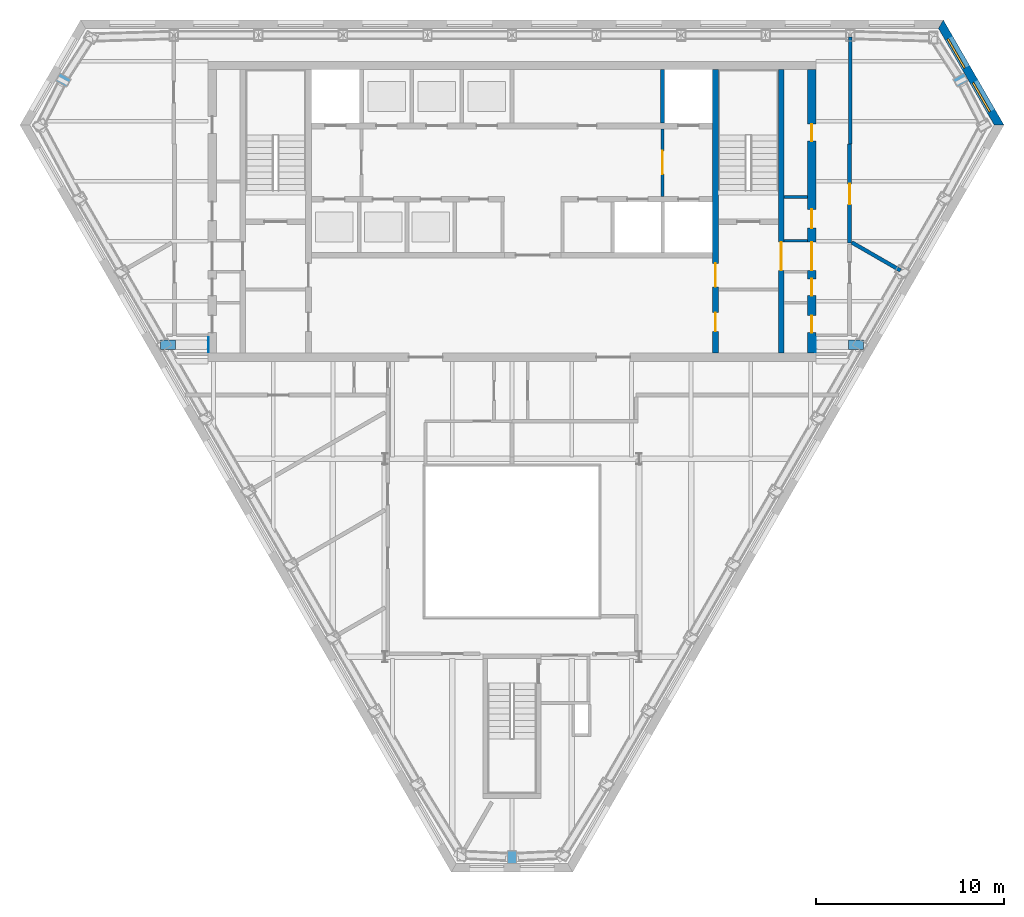
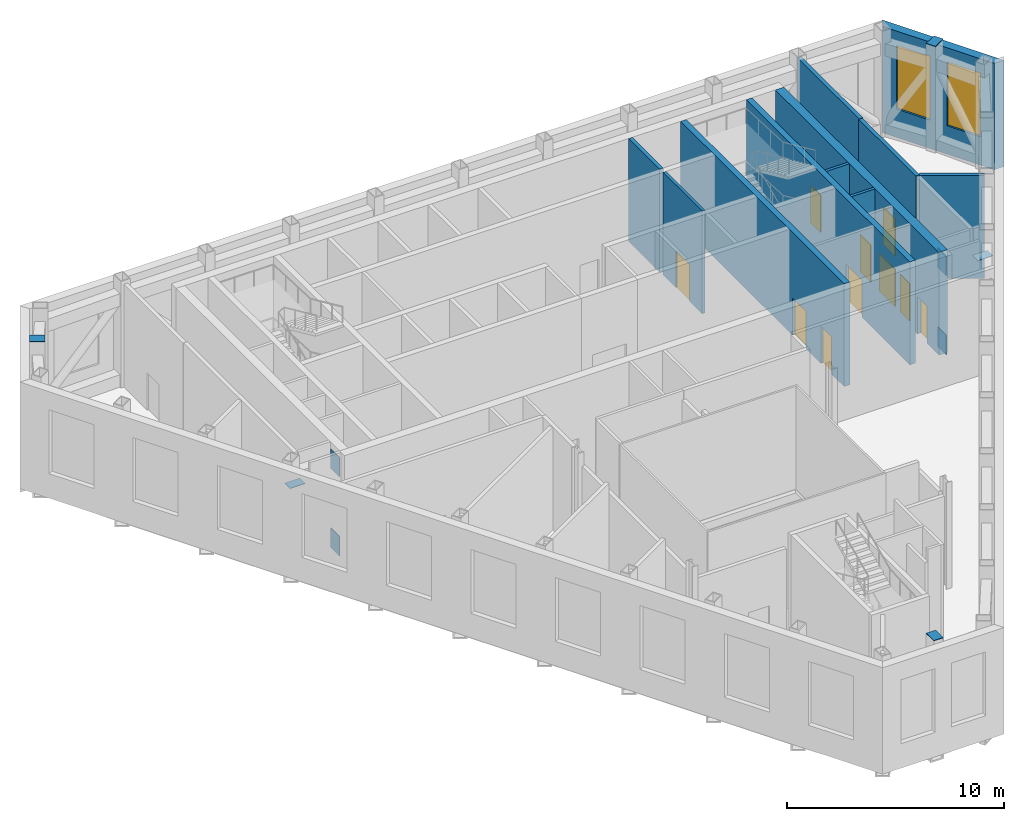
# One storey, part 10 of 14: 11 walls, 10 doors, 9 discrete accessories, 2 shading devices, 12 openings.
"""IFC4 building model written with IfcOpenShell, lengths in metres."""

from ifc_helpers import new_model, si_unit, direction, frame, frame_2d, origin, place, context, subcontext, project, spatial, polyline, rectangle, outline, extrude, material, layer, layer_set, type_object, element, fill, save


model = new_model("IFC4")

# Units and contexts
model_context = context("Model", 3, precision=1e-05, world=origin(), true_north=direction((0.0, 1.0)))
body_context = subcontext(model_context, "Body", "Model", "MODEL_VIEW")
ifc_project = project(units=[si_unit("LENGTHUNIT", "METRE"), si_unit("AREAUNIT", "SQUARE_METRE"), si_unit("VOLUMEUNIT", "CUBIC_METRE"), si_unit("PLANEANGLEUNIT", "RADIAN"), si_unit("MASSUNIT", "GRAM", prefix="KILO")], contexts=[model_context])

# Site, building, storey
site_placement = place(None, origin())
site = spatial("IfcSite", under=ifc_project, at=site_placement, CompositionType="ELEMENT")
building_placement = place(site_placement, origin())
building = spatial("IfcBuilding", under=site, at=building_placement, Name="Njiva Tower", CompositionType="ELEMENT")
storey_placement = place(building_placement, frame((0.0, 0.0, 239.4)))
storey = spatial("IfcBuildingStorey", under=building, at=storey_placement, Name="L54", CompositionType="ELEMENT", Elevation=239.4)

# Wall
ifc_material_1 = material(Name="Blockwork", Category="masonry")
ifc_layer_1 = layer(ifc_material_1, 0.15)
ifc_layer_set_1 = layer_set([ifc_layer_1], Name="Blockwork")
wall_type_1 = type_object("IfcWallType", Name="WT1 Compartment partition 150", PredefinedType="PARTITIONING", material=ifc_layer_set_1)
wall_1_placement = place(storey_placement, frame((14.5, 10.7681, 0.0), z_axis=(0.0, 0.0, 1.0), x_axis=(1.0, 0.0, 0.0)))
element("IfcWall", 1, at=wall_1_placement, inside=storey, type_object=wall_type_1, Name="Partition strip E10", PredefinedType="PARTITIONING", context=body_context, shape_type="SweptSolid", body=[
    extrude(rectangle(XDim=1.25, YDim=0.15, at=frame_2d((0.625, 0.0))), origin(), (0.0, 0.0, 1.0), 5.8),
])

# Wall, openings, doors
ifc_material_2 = material(Name="Concrete C40/50", Category="concrete")
ifc_layer_2 = layer(ifc_material_2, 0.3)
ifc_layer_set_2 = layer_set([ifc_layer_2], Name="Concrete C40/50")
wall_type_2 = type_object("IfcWallType", Name="WT10 Stair enclosure wall 300", PredefinedType="SHEAR", material=ifc_layer_set_2)
wall_2_placement = place(storey_placement, frame((10.85, 2.45, 0.0), z_axis=(0.0, 0.0, 1.0), x_axis=(0.0, 1.0, 0.0)))
wall_2 = element("IfcWall", 2, at=wall_2_placement, inside=storey, type_object=wall_type_2, Name="Stair wall east inner", PredefinedType="SHEAR", context=body_context, shape_type="SweptSolid", body=[
    extrude(rectangle(XDim=15.1, YDim=0.3, at=frame_2d((7.55, 0.0))), origin(), (0.0, 0.0, 1.0), 5.8),
])
opening_1_placement = place(wall_2_placement, frame((3.525, 0.0, 0.0)))
opening_1 = element("IfcOpeningElement", 3, at=opening_1_placement, cuts=wall_2, Name="Opening T4-D920", PredefinedType="OPENING", context=body_context, shape_type="SweptSolid", body=[
    extrude(rectangle(XDim=1.25, YDim=2.1, at=frame_2d((0.625, 1.05))), frame((0.0, 0.16, 0.0), z_axis=(0.0, -1.0, 0.0), x_axis=(1.0, 0.0, 0.0)), (0.0, 0.0, 1.0), 0.32),
])
opening_2_placement = place(wall_2_placement, frame((1.15, 0.0, 0.0)))
opening_2 = element("IfcOpeningElement", 4, at=opening_2_placement, cuts=wall_2, Name="Opening T4-D921", PredefinedType="OPENING", context=body_context, shape_type="SweptSolid", body=[
    extrude(rectangle(XDim=1.0, YDim=2.1, at=frame_2d((0.5, 1.05))), frame((0.0, 0.16, 0.0), z_axis=(0.0, -1.0, 0.0), x_axis=(1.0, 0.0, 0.0)), (0.0, 0.0, 1.0), 0.32),
])
ifc_material_3 = material(Name="Steel door, painted", Category="steel")
door_type_1 = type_object("IfcDoorType", Name="D5 Steel door 1000x2100", OperationType="SINGLE_SWING_LEFT", PredefinedType="DOOR", material=ifc_material_3)
door_1_placement = place(opening_2_placement, origin())
door_1 = element("IfcDoor", 5, at=door_1_placement, inside=storey, type_object=door_type_1, Name="Electrical plant room door", OperationType="SINGLE_SWING_LEFT", OverallHeight=2.1, OverallWidth=1.0, PredefinedType="DOOR", context=body_context, shape_type="SweptSolid", body=[
    extrude(rectangle(XDim=1.0, YDim=2.1, at=frame_2d((0.5, 1.05))), frame((0.0, 0.025, 0.0), z_axis=(0.0, -1.0, 0.0), x_axis=(1.0, 0.0, 0.0)), (0.0, 0.0, 1.0), 0.05),
])
fill(opening_2, door_1)
ifc_material_4 = material(Name="Glazed steel fire door", Category="steel")
door_type_2 = type_object("IfcDoorType", Name="D8 Vestibule corridor door 1250x2100 glazed", OperationType="SINGLE_SWING_LEFT", PredefinedType="DOOR", material=ifc_material_4)
door_2_placement = place(opening_1_placement, origin())
door_2 = element("IfcDoor", 6, at=door_2_placement, inside=storey, type_object=door_type_2, Name="Stair vestibule corridor door", OperationType="SINGLE_SWING_RIGHT", OverallHeight=2.1, OverallWidth=1.25, PredefinedType="DOOR", context=body_context, shape_type="SweptSolid", body=[
    extrude(rectangle(XDim=1.25, YDim=2.1, at=frame_2d((0.625, 1.05))), frame((0.0, 0.025, 0.0), z_axis=(0.0, -1.0, 0.0), x_axis=(1.0, 0.0, 0.0)), (0.0, 0.0, 1.0), 0.05),
])
fill(opening_1, door_2)

# Wall, opening, door
wall_3_placement = place(storey_placement, frame((14.35, 2.45, 0.0), z_axis=(0.0, 0.0, 1.0), x_axis=(0.0, 1.0, 0.0)))
wall_3 = element("IfcWall", 7, at=wall_3_placement, inside=storey, type_object=wall_type_2, Name="Stair wall east outer", PredefinedType="SHEAR", context=body_context, shape_type="SweptSolid", body=[
    extrude(rectangle(XDim=15.1, YDim=0.3, at=frame_2d((7.55, 0.0))), origin(), (0.0, 0.0, 1.0), 5.8),
])
opening_3_placement = place(wall_3_placement, frame((4.4, 0.0, 0.0)))
opening_3 = element("IfcOpeningElement", 8, at=opening_3_placement, cuts=wall_3, Name="Opening T4-D928", PredefinedType="OPENING", context=body_context, shape_type="SweptSolid", body=[
    extrude(rectangle(XDim=1.5, YDim=2.1, at=frame_2d((0.75, 1.05))), frame((0.0, 0.16, 0.0), z_axis=(0.0, -1.0, 0.0), x_axis=(1.0, 0.0, 0.0)), (0.0, 0.0, 1.0), 0.32),
])
door_type_3 = type_object("IfcDoorType", Name="D10 Exit door double 1500x2100 glazed", OperationType="DOUBLE_DOOR_SINGLE_SWING", PredefinedType="DOOR", material=ifc_material_4)
door_3_placement = place(opening_3_placement, origin())
door_3 = element("IfcDoor", 9, at=door_3_placement, inside=storey, type_object=door_type_3, Name="Stair B passage door", OperationType="DOUBLE_DOOR_SINGLE_SWING", OverallHeight=2.1, OverallWidth=1.5, PredefinedType="DOOR", context=body_context, shape_type="SweptSolid", body=[
    extrude(rectangle(XDim=1.5, YDim=2.1, at=frame_2d((0.75, 1.05))), frame((0.0, 0.025, 0.0), z_axis=(0.0, -1.0, 0.0), x_axis=(1.0, 0.0, 0.0)), (0.0, 0.0, 1.0), 0.05),
])
fill(opening_3, door_3)

# Wall, openings, doors
ifc_material_5 = material(Name="Concrete C60/75", Category="concrete")
ifc_layer_3 = layer(ifc_material_5, 0.45)
ifc_layer_set_3 = layer_set([ifc_layer_3], Name="Concrete C60/75")
wall_type_3 = type_object("IfcWallType", Name="WT12 Core wall 450", PredefinedType="SHEAR", material=ifc_layer_set_3)
wall_4_placement = place(storey_placement, frame((15.975, 2.45, 0.0), z_axis=(0.0, 0.0, 1.0), x_axis=(0.0, 1.0, 0.0)))
wall_4 = element("IfcWall", 10, at=wall_4_placement, inside=storey, type_object=wall_type_3, Name="Core wall east", PredefinedType="SHEAR", context=body_context, shape_type="SweptSolid", body=[
    extrude(rectangle(XDim=15.1, YDim=0.45, at=frame_2d((7.55, 0.0))), origin(), (0.0, 0.0, 1.0), 5.8),
])
opening_4_placement = place(wall_4_placement, frame((4.4, 0.0, 0.0)))
opening_4 = element("IfcOpeningElement", 11, at=opening_4_placement, cuts=wall_4, Name="Opening T4-D929", PredefinedType="OPENING", context=body_context, shape_type="SweptSolid", body=[
    extrude(rectangle(XDim=1.5, YDim=2.1, at=frame_2d((0.75, 1.05))), frame((0.0, 0.235, 0.0), z_axis=(0.0, -1.0, 0.0), x_axis=(1.0, 0.0, 0.0)), (0.0, 0.0, 1.0), 0.47),
])
opening_5_placement = place(wall_4_placement, frame((1.0857, 0.0, 0.0)))
opening_5 = element("IfcOpeningElement", 12, at=opening_5_placement, cuts=wall_4, Name="Opening T4-D930", PredefinedType="OPENING", context=body_context, shape_type="SweptSolid", body=[
    extrude(rectangle(XDim=0.9, YDim=2.1, at=frame_2d((0.45, 1.05))), frame((0.0, 0.235, 0.0), z_axis=(0.0, -1.0, 0.0), x_axis=(1.0, 0.0, 0.0)), (0.0, 0.0, 1.0), 0.47),
])
opening_6_placement = place(wall_4_placement, frame((3.05, 0.0, 0.0)))
opening_6 = element("IfcOpeningElement", 13, at=opening_6_placement, cuts=wall_4, Name="Opening T4-D931", PredefinedType="OPENING", context=body_context, shape_type="SweptSolid", body=[
    extrude(rectangle(XDim=0.9, YDim=2.1, at=frame_2d((0.45, 1.05))), frame((0.0, 0.235, 0.0), z_axis=(0.0, -1.0, 0.0), x_axis=(1.0, 0.0, 0.0)), (0.0, 0.0, 1.0), 0.47),
])
opening_7_placement = place(wall_4_placement, frame((6.6465, 0.0, 0.0)))
opening_7 = element("IfcOpeningElement", 14, at=opening_7_placement, cuts=wall_4, Name="Opening T4-D932", PredefinedType="OPENING", context=body_context, shape_type="SweptSolid", body=[
    extrude(rectangle(XDim=1.0, YDim=2.1, at=frame_2d((0.5, 1.05))), frame((0.0, 0.235, 0.0), z_axis=(0.0, -1.0, 0.0), x_axis=(1.0, 0.0, 0.0)), (0.0, 0.0, 1.0), 0.47),
])
opening_8_placement = place(wall_4_placement, frame((11.2965, 0.0, 0.0)))
opening_8 = element("IfcOpeningElement", 15, at=opening_8_placement, cuts=wall_4, Name="Opening T4-D933", PredefinedType="OPENING", context=body_context, shape_type="SweptSolid", body=[
    extrude(rectangle(XDim=0.9, YDim=2.1, at=frame_2d((0.45, 1.05))), frame((0.0, 0.235, 0.0), z_axis=(0.0, -1.0, 0.0), x_axis=(1.0, 0.0, 0.0)), (0.0, 0.0, 1.0), 0.47),
])
door_4_placement = place(opening_4_placement, origin())
door_4 = element("IfcDoor", 16, at=door_4_placement, inside=storey, type_object=door_type_3, Name="Stair B corridor door", OperationType="DOUBLE_DOOR_SINGLE_SWING", OverallHeight=2.1, OverallWidth=1.5, PredefinedType="DOOR", context=body_context, shape_type="SweptSolid", body=[
    extrude(rectangle(XDim=1.5, YDim=2.1, at=frame_2d((0.75, 1.05))), frame((0.0, 0.025, 0.0), z_axis=(0.0, -1.0, 0.0), x_axis=(1.0, 0.0, 0.0)), (0.0, 0.0, 1.0), 0.05),
])
fill(opening_4, door_4)
door_type_4 = type_object("IfcDoorType", Name="D4 Riser door 900x2100", OperationType="SINGLE_SWING_LEFT", PredefinedType="DOOR", material=ifc_material_3)
door_5_placement = place(opening_6_placement, origin())
door_5 = element("IfcDoor", 17, at=door_5_placement, inside=storey, type_object=door_type_4, Name="Mechanical riser door", OperationType="SINGLE_SWING_LEFT", OverallHeight=2.1, OverallWidth=0.9, PredefinedType="DOOR", context=body_context, shape_type="SweptSolid", body=[
    extrude(rectangle(XDim=0.9, YDim=2.1, at=frame_2d((0.45, 1.05))), frame((0.0, 0.025, 0.0), z_axis=(0.0, -1.0, 0.0), x_axis=(1.0, 0.0, 0.0)), (0.0, 0.0, 1.0), 0.05),
])
fill(opening_6, door_5)
door_6_placement = place(opening_7_placement, origin())
door_6 = element("IfcDoor", 18, at=door_6_placement, inside=storey, type_object=door_type_1, Name="Telecoms plant room door", OperationType="SINGLE_SWING_LEFT", OverallHeight=2.1, OverallWidth=1.0, PredefinedType="DOOR", context=body_context, shape_type="SweptSolid", body=[
    extrude(rectangle(XDim=1.0, YDim=2.1, at=frame_2d((0.5, 1.05))), frame((0.0, 0.025, 0.0), z_axis=(0.0, -1.0, 0.0), x_axis=(1.0, 0.0, 0.0)), (0.0, 0.0, 1.0), 0.05),
])
fill(opening_7, door_6)
ifc_material_6 = material(Name="Steel fire door, painted", Category="steel")
door_type_5 = type_object("IfcDoorType", Name="D6 Fire-rated door 900x2100", OperationType="SINGLE_SWING_LEFT", PredefinedType="DOOR", material=ifc_material_6)
door_7_placement = place(opening_5_placement, origin())
door_7 = element("IfcDoor", 19, at=door_7_placement, inside=storey, type_object=door_type_5, Name="Cable plant store door", OperationType="SINGLE_SWING_LEFT", OverallHeight=2.1, OverallWidth=0.9, PredefinedType="DOOR", context=body_context, shape_type="SweptSolid", body=[
    extrude(rectangle(XDim=0.9, YDim=2.1, at=frame_2d((0.45, 1.05))), frame((0.0, 0.025, 0.0), z_axis=(0.0, -1.0, 0.0), x_axis=(1.0, 0.0, 0.0)), (0.0, 0.0, 1.0), 0.05),
])
fill(opening_5, door_7)
door_8_placement = place(opening_8_placement, origin())
door_8 = element("IfcDoor", 20, at=door_8_placement, inside=storey, type_object=door_type_5, Name="Cable plant store door", OperationType="SINGLE_SWING_RIGHT", OverallHeight=2.1, OverallWidth=0.9, PredefinedType="DOOR", context=body_context, shape_type="SweptSolid", body=[
    extrude(rectangle(XDim=0.9, YDim=2.1, at=frame_2d((0.45, 1.05))), frame((0.0, 0.025, 0.0), z_axis=(0.0, -1.0, 0.0), x_axis=(1.0, 0.0, 0.0)), (0.0, 0.0, 1.0), 0.05),
])
fill(opening_8, door_8)

# Wall, opening, door
ifc_layer_4 = layer(ifc_material_1, 0.15)
ifc_layer_set_4 = layer_set([ifc_layer_4], Name="Blockwork")
wall_type_4 = type_object("IfcWallType", Name="WT2 Lobby partition 150", PredefinedType="PARTITIONING", material=ifc_layer_set_4)
wall_5_placement = place(storey_placement, frame((8.025, 10.8, 0.0), z_axis=(0.0, 0.0, 1.0), x_axis=(0.0, 1.0, 0.0)))
wall_5 = element("IfcWall", 21, at=wall_5_placement, inside=storey, type_object=wall_type_4, Name="Firefighting lobby wall B", PredefinedType="PARTITIONING", context=body_context, shape_type="SweptSolid", body=[
    extrude(rectangle(XDim=3.6, YDim=0.15, at=frame_2d((1.8, 0.0))), origin(), (0.0, 0.0, 1.0), 5.8),
])
opening_9_placement = place(wall_5_placement, frame((1.175, 0.0, 0.0)))
opening_9 = element("IfcOpeningElement", 22, at=opening_9_placement, cuts=wall_5, Name="Opening T4-D918", PredefinedType="OPENING", context=body_context, shape_type="SweptSolid", body=[
    extrude(rectangle(XDim=1.25, YDim=2.1, at=frame_2d((0.625, 1.05))), frame((0.0, 0.085, 0.0), z_axis=(0.0, -1.0, 0.0), x_axis=(1.0, 0.0, 0.0)), (0.0, 0.0, 1.0), 0.17),
])
door_9_placement = place(opening_9_placement, origin())
door_9 = element("IfcDoor", 23, at=door_9_placement, inside=storey, type_object=door_type_2, Name="Stair vestibule corridor door", OperationType="SINGLE_SWING_LEFT", OverallHeight=2.1, OverallWidth=1.25, PredefinedType="DOOR", context=body_context, shape_type="SweptSolid", body=[
    extrude(rectangle(XDim=1.25, YDim=2.1, at=frame_2d((0.625, 1.05))), frame((0.0, 0.025, 0.0), z_axis=(0.0, -1.0, 0.0), x_axis=(1.0, 0.0, 0.0)), (0.0, 0.0, 1.0), 0.05),
])
fill(opening_9, door_9)

ifc_layer_5 = layer(ifc_material_1, 0.2)
ifc_layer_set_5 = layer_set([ifc_layer_5], Name="Blockwork")
wall_type_5 = type_object("IfcWallType", Name="WT23 Refuge wall 200", PredefinedType="PARTITIONING", material=ifc_layer_set_5)
wall_6_placement = place(storey_placement, frame((18.0, 8.309, 0.0), z_axis=(0.0, 0.0, 1.0), x_axis=(0.000189825357, 0.999999981983, 0.0)))
wall_6 = element("IfcWall", 24, at=wall_6_placement, inside=storey, type_object=wall_type_5, Name="Partition T4-P029", PredefinedType="PARTITIONING", context=body_context, shape_type="SweptSolid", body=[
    extrude(rectangle(XDim=5.268, YDim=0.2, at=frame_2d((2.634, 0.0))), origin(), (0.0, 0.0, 1.0), 5.8),
])
opening_10_placement = place(wall_6_placement, frame((2.059, 0.0, 0.0)))
opening_10 = element("IfcOpeningElement", 25, at=opening_10_placement, cuts=wall_6, Name="Opening T4-D013", PredefinedType="OPENING", context=body_context, shape_type="SweptSolid", body=[
    extrude(rectangle(XDim=1.1, YDim=2.1, at=frame_2d((0.55, 1.05))), frame((0.0, 0.11, 0.0), z_axis=(0.0, -1.0, 0.0), x_axis=(1.0, 0.0, 0.0)), (0.0, 0.0, 1.0), 0.22),
])
ifc_material_7 = material(Name="Steel door set", Category="steel")
door_type_6 = type_object("IfcDoorType", Name="D35 Refuge door 1100x2100", OperationType="SINGLE_SWING_LEFT", PredefinedType="DOOR", material=ifc_material_7)
door_10_placement = place(opening_10_placement, origin())
door_10 = element("IfcDoor", 26, at=door_10_placement, inside=storey, type_object=door_type_6, Name="Door T4-D013", OperationType="SINGLE_SWING_LEFT", OverallHeight=2.1, OverallWidth=1.1, PredefinedType="DOOR", context=body_context, shape_type="SweptSolid", body=[
    extrude(rectangle(XDim=1.1, YDim=2.1, at=frame_2d((0.55, 1.05))), frame((0.0, 0.025, 0.0), z_axis=(0.0, -1.0, 0.0), x_axis=(1.0, 0.0, 0.0)), (0.0, 0.0, 1.0), 0.05),
])
fill(opening_10, door_10)

# Walls
wall_7_placement = place(storey_placement, frame((18.031, 13.596, 0.0), z_axis=(0.0, 0.0, 1.0), x_axis=(0.0, 1.0, 0.0)))
element("IfcWall", 27, at=wall_7_placement, inside=storey, type_object=wall_type_5, Name="Partition T4-P031", PredefinedType="PARTITIONING", context=body_context, shape_type="SweptSolid", body=[
    extrude(rectangle(XDim=5.704, YDim=0.2, at=frame_2d((2.852, 0.0))), origin(), (0.0, 0.0, 1.0), 5.8),
])
wall_8_placement = place(storey_placement, frame((18.118, 8.341, 0.0), z_axis=(0.0, 0.0, 1.0), x_axis=(0.866185586049, -0.49972245349, 0.0)))
element("IfcWall", 28, at=wall_8_placement, inside=storey, type_object=wall_type_5, Name="Partition T4-P033", PredefinedType="PARTITIONING", context=body_context, shape_type="SweptSolid", body=[
    extrude(rectangle(XDim=3.0017, YDim=0.2, at=frame_2d((1.5008, 0.0))), origin(), (0.0, 0.0, 1.0), 5.8),
])
ifc_layer_6 = layer(ifc_material_1, 0.15)
ifc_layer_set_6 = layer_set([ifc_layer_6], Name="Blockwork")
wall_type_6 = type_object("IfcWallType", Name="WT4 Stair partition 150", PredefinedType="PARTITIONING", material=ifc_layer_set_6)
wall_9_placement = place(storey_placement, frame((14.5, 8.425, 0.0), z_axis=(0.0, 0.0, 1.0), x_axis=(1.0, 0.0, 0.0)))
element("IfcWall", 29, at=wall_9_placement, inside=storey, type_object=wall_type_6, Name="Stair B exit passage wall north", PredefinedType="PARTITIONING", context=body_context, shape_type="SweptSolid", body=[
    extrude(rectangle(XDim=1.25, YDim=0.15, at=frame_2d((0.625, 0.0))), origin(), (0.0, 0.0, 1.0), 5.8),
])
ifc_layer_7 = layer(ifc_material_2, 0.2)
ifc_layer_set_7 = layer_set([ifc_layer_7], Name="Concrete C40/50")
wall_type_7 = type_object("IfcWallType", Name="WT6 Lift shaft wall 200", PredefinedType="SHEAR", material=ifc_layer_set_7)
wall_10_placement = place(storey_placement, frame((8.025, 14.7, 0.0), z_axis=(0.0, 0.0, 1.0), x_axis=(0.0, 1.0, 0.0)))
element("IfcWall", 30, at=wall_10_placement, inside=storey, type_object=wall_type_7, Name="Shaft wall CN7", PredefinedType="SHEAR", context=body_context, shape_type="SweptSolid", body=[
    extrude(rectangle(XDim=2.85, YDim=0.2, at=frame_2d((1.425, 0.0))), origin(), (0.0, 0.0, 1.0), 5.8),
])

# Wall, openings, shading devices
ifc_material_8 = material(Name="Brick masonry, buff", Category="masonry")
ifc_layer_8 = layer(ifc_material_8, 0.45)
ifc_layer_set_8 = layer_set([ifc_layer_8], Name="Brick masonry, buff")
wall_type_8 = type_object("IfcWallType", Name="WT94 Brick pier and spandrel wall 450, buff", PredefinedType="SOLIDWALL", material=ifc_layer_set_8)
wall_11_placement = place(storey_placement, frame((25.9752, 14.5968, -0.4), z_axis=(0.0, 0.0, 1.0), x_axis=(-0.499999369857, 0.866025767597, 0.0)))
wall_11 = element("IfcWall", 31, at=wall_11_placement, inside=storey, type_object=wall_type_8, Name="Facade wall NE", PredefinedType="SOLIDWALL", context=body_context, shape_type="SweptSolid", body=[
    extrude(outline(polyline([(-0.1299, -0.225), (6.3401, -0.225), (6.0803, 0.225), (0.1299, 0.225), (-0.1299, -0.225)])), origin(), (0.0, 0.0, 1.0), 6.0),
])
opening_11_placement = place(wall_11_placement, frame((0.8569, 0.0, 1.6)))
opening_11 = element("IfcOpeningElement", 32, at=opening_11_placement, cuts=wall_11, Name="Opening T4-LV35", PredefinedType="OPENING", context=body_context, shape_type="SweptSolid", body=[
    extrude(rectangle(XDim=1.8, YDim=3.6, at=frame_2d((0.9, 1.8))), frame((0.0, 0.235, 0.0), z_axis=(0.0, -1.0, 0.0), x_axis=(1.0, 0.0, 0.0)), (0.0, 0.0, 1.0), 0.47),
])
opening_12_placement = place(wall_11_placement, frame((3.5532, 0.0, 1.6)))
opening_12 = element("IfcOpeningElement", 33, at=opening_12_placement, cuts=wall_11, Name="Opening T4-LV36", PredefinedType="OPENING", context=body_context, shape_type="SweptSolid", body=[
    extrude(rectangle(XDim=1.8, YDim=3.6, at=frame_2d((0.9, 1.8))), frame((0.0, 0.235, 0.0), z_axis=(0.0, -1.0, 0.0), x_axis=(1.0, 0.0, 0.0)), (0.0, 0.0, 1.0), 0.47),
])
ifc_material_9 = material(Name="Aluminium louvre blades", Category="aluminium")
shading_device_type = type_object("IfcShadingDeviceType", Name="LV2 Plant louvre 1800x3600", PredefinedType="JALOUSIE", material=ifc_material_9)
shading_device_1_placement = place(opening_11_placement, origin())
shading_device_1 = element("IfcShadingDevice", 34, at=shading_device_1_placement, inside=storey, type_object=shading_device_type, Name="Plant louvre", PredefinedType="JALOUSIE", context=body_context, shape_type="SweptSolid", body=[
    extrude(rectangle(XDim=1.8, YDim=3.6, at=frame_2d((0.9, 1.8))), frame((0.0, 0.125, 0.0), z_axis=(0.0, -1.0, 0.0), x_axis=(1.0, 0.0, 0.0)), (0.0, 0.0, 1.0), 0.1),
])
fill(opening_11, shading_device_1)
shading_device_2_placement = place(opening_12_placement, origin())
shading_device_2 = element("IfcShadingDevice", 35, at=shading_device_2_placement, inside=storey, type_object=shading_device_type, Name="Plant louvre", PredefinedType="JALOUSIE", context=body_context, shape_type="SweptSolid", body=[
    extrude(rectangle(XDim=1.8, YDim=3.6, at=frame_2d((0.9, 1.8))), frame((0.0, 0.125, 0.0), z_axis=(0.0, -1.0, 0.0), x_axis=(1.0, 0.0, 0.0)), (0.0, 0.0, 1.0), 0.1),
])
fill(opening_12, shading_device_2)

# Discrete accessories
ifc_material_10 = material(Name="Steel S355 J2", Category="steel")
ifc_layer_9 = layer(ifc_material_10, 0.04)
ifc_layer_set_9 = layer_set([ifc_layer_9], Name="Steel S355 J2")
discrete_accessory_type_1 = type_object("IfcDiscreteAccessoryType", Name="AP1 Cast-in anchor plate 40", PredefinedType="ANCHORPLATE", material=ifc_layer_set_9)
for number, where, name in (
    (36, (-16.18, 2.886, -0.15), "Cast-in anchor plate T4-AP01"),
    (37, (-16.18, 2.886, 4.31), "Cast-in anchor plate T4-AP02"),
):
    element("IfcDiscreteAccessory", number, at=place(storey_placement, frame(where)), inside=storey, type_object=discrete_accessory_type_1, Name=name, PredefinedType="ANCHORPLATE", context=body_context, shape_type="SweptSolid", body=[
        extrude(outline(polyline([(-0.02, -0.4), (0.02, -0.4), (0.02, 0.4), (-0.02, 0.4), (-0.02, -0.4)])), origin(), (0.0, 0.0, 1.0), 1.1),
    ])
for number, where, name in (
    (38, (16.18, 2.886, -0.15), "Cast-in anchor plate T4-AP03"),
    (39, (16.18, 2.886, 4.31), "Cast-in anchor plate T4-AP04"),
):
    element("IfcDiscreteAccessory", number, at=place(storey_placement, frame(where)), inside=storey, type_object=discrete_accessory_type_1, Name=name, PredefinedType="ANCHORPLATE", context=body_context, shape_type="SweptSolid", body=[
        extrude(outline(polyline([(0.02, 0.4), (-0.02, 0.4), (-0.02, -0.4), (0.02, -0.4), (0.02, 0.4)])), origin(), (0.0, 0.0, 1.0), 1.1),
    ])
ifc_layer_10 = layer(ifc_material_10, 0.03)
ifc_layer_set_10 = layer_set([ifc_layer_10], Name="Steel S355 J2")
discrete_accessory_type_2 = type_object("IfcDiscreteAccessoryType", Name="CP1 Column end cap plate 30", PredefinedType="USERDEFINED", material=ifc_layer_set_10)
discrete_accessory_1_placement = place(storey_placement, frame((-23.925, 16.998, 6.0)))
element("IfcDiscreteAccessory", 40, at=discrete_accessory_1_placement, inside=storey, type_object=discrete_accessory_type_2, Name="Column end cap plate T4-CP01", ObjectType="END PLATE", PredefinedType="USERDEFINED", context=body_context, shape_type="SweptSolid", body=[
    extrude(outline(polyline([(0.1781, -0.3915), (0.4281, 0.0415), (-0.1781, 0.3915), (-0.4281, -0.0415), (0.1781, -0.3915)])), origin(), (0.0, 0.0, 1.0), 0.03),
])
discrete_accessory_2_placement = place(storey_placement, frame((0.0, -24.44, 6.0)))
element("IfcDiscreteAccessory", 41, at=discrete_accessory_2_placement, inside=storey, type_object=discrete_accessory_type_2, Name="Column end cap plate T4-CP02", ObjectType="END PLATE", PredefinedType="USERDEFINED", context=body_context, shape_type="SweptSolid", body=[
    extrude(outline(polyline([(0.25, 0.35), (-0.25, 0.35), (-0.25, -0.35), (0.25, -0.35), (0.25, 0.35)])), origin(), (0.0, 0.0, 1.0), 0.03),
])
discrete_accessory_3_placement = place(storey_placement, frame((23.925, 16.998, 6.0)))
element("IfcDiscreteAccessory", 42, at=discrete_accessory_3_placement, inside=storey, type_object=discrete_accessory_type_2, Name="Column end cap plate T4-CP03", ObjectType="END PLATE", PredefinedType="USERDEFINED", context=body_context, shape_type="SweptSolid", body=[
    extrude(outline(polyline([(-0.4281, 0.0415), (-0.1781, -0.3915), (0.4281, -0.0415), (0.1781, 0.3915), (-0.4281, 0.0415)])), origin(), (0.0, 0.0, 1.0), 0.03),
])
ifc_layer_11 = layer(ifc_material_10, 0.03)
ifc_layer_set_11 = layer_set([ifc_layer_11], Name="Steel S355 J2")
discrete_accessory_type_3 = type_object("IfcDiscreteAccessoryType", Name="GP1 Truss node gusset plate 30", PredefinedType="USERDEFINED", material=ifc_layer_set_11)
discrete_accessory_4_placement = place(storey_placement, frame((-18.3392, 2.886, 4.43)))
element("IfcDiscreteAccessory", 43, at=discrete_accessory_4_placement, inside=storey, type_object=discrete_accessory_type_3, Name="Truss node gusset plate T4-GP01", ObjectType="GUSSET PLATE", PredefinedType="USERDEFINED", context=body_context, shape_type="SweptSolid", body=[
    extrude(outline(polyline([(-0.4, -0.25), (0.4, -0.25), (0.4, 0.25), (-0.4, 0.25), (-0.4, -0.25)])), origin(), (0.0, 0.0, 1.0), 0.03),
])
discrete_accessory_5_placement = place(storey_placement, frame((18.3392, 2.886, 4.43)))
element("IfcDiscreteAccessory", 44, at=discrete_accessory_5_placement, inside=storey, type_object=discrete_accessory_type_3, Name="Truss node gusset plate T4-GP02", ObjectType="GUSSET PLATE", PredefinedType="USERDEFINED", context=body_context, shape_type="SweptSolid", body=[
    extrude(outline(polyline([(0.4, 0.25), (-0.4, 0.25), (-0.4, -0.25), (0.4, -0.25), (0.4, 0.25)])), origin(), (0.0, 0.0, 1.0), 0.03),
])

save(model, "model.ifc")
